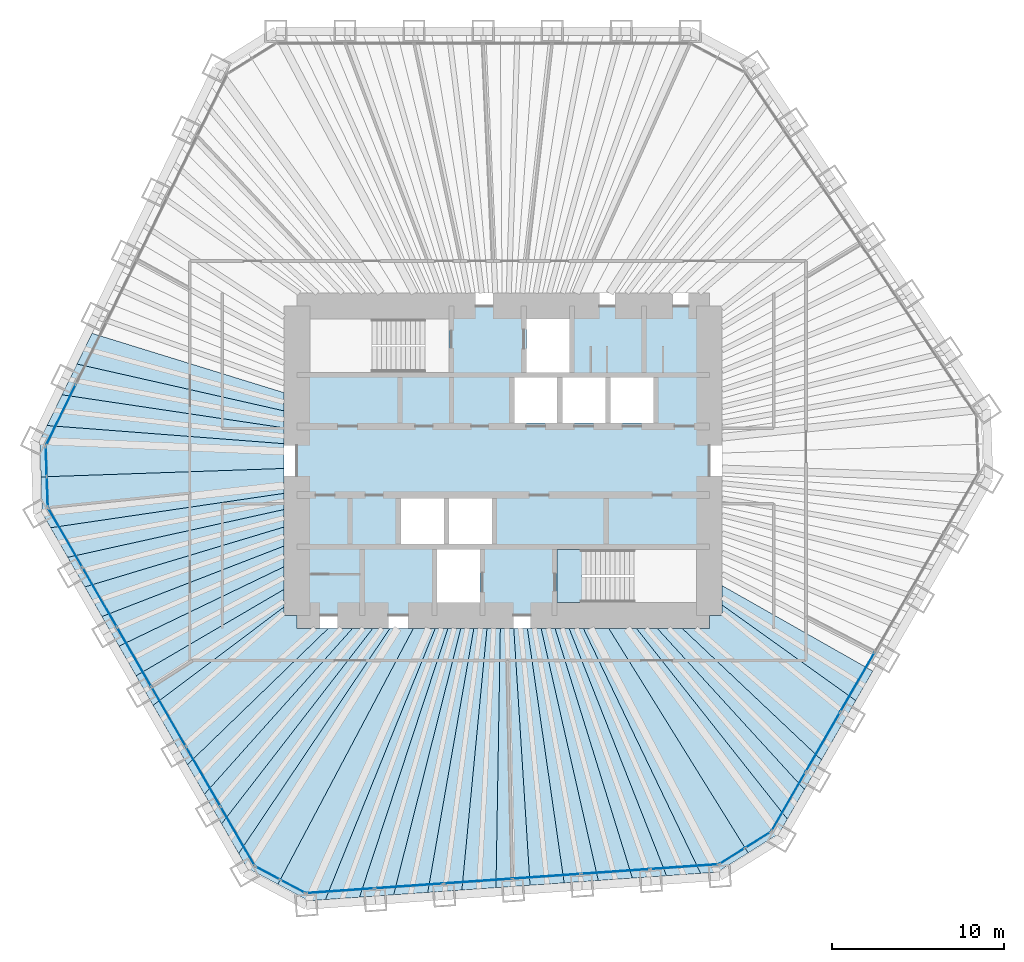
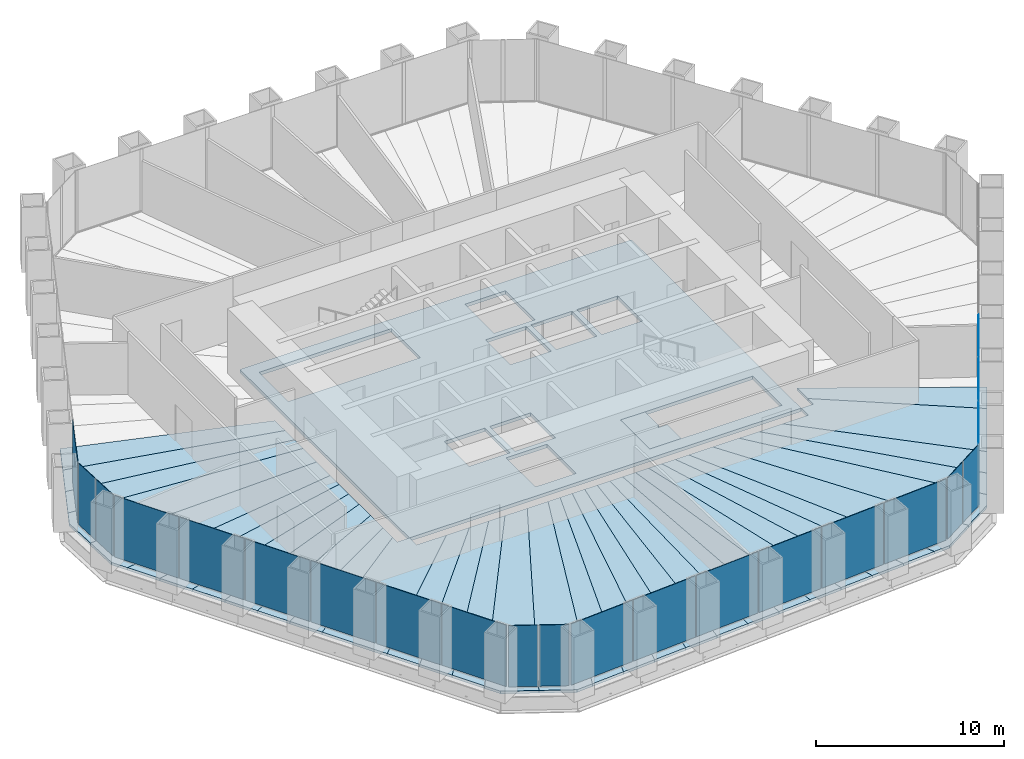
# One storey, part 8 of 13: 36 slabs, 22 plates, 8 elements without a shape of their own.
"""IFC4 building model written with IfcOpenShell, lengths in metres."""

from ifc_helpers import new_model, si_unit, direction, frame, origin, origin_2d, place, context, subcontext, project, spatial, polyline, rectangle, outline, extrude, material, layer, layer_set, type_object, element, aggregate, save


model = new_model("IFC4")

# Units and contexts
model_context = context("Model", 3, precision=1e-05, world=origin(), true_north=direction((0.0, 1.0)))
body_context = subcontext(model_context, "Body", "Model", "MODEL_VIEW")
ifc_project = project(units=[si_unit("LENGTHUNIT", "METRE"), si_unit("AREAUNIT", "SQUARE_METRE"), si_unit("VOLUMEUNIT", "CUBIC_METRE"), si_unit("PLANEANGLEUNIT", "RADIAN"), si_unit("MASSUNIT", "GRAM", prefix="KILO")], contexts=[model_context])

# Site, building, storey
site_placement = place(None, origin())
site = spatial("IfcSite", under=ifc_project, at=site_placement, CompositionType="ELEMENT")
building_placement = place(site_placement, origin())
building = spatial("IfcBuilding", under=site, at=building_placement, Name="Qingtian Harvest Tower", CompositionType="ELEMENT")
storey_placement = place(building_placement, frame((0.0, 0.0, 145.0)))
storey = spatial("IfcBuildingStorey", under=building, at=storey_placement, Name="L30", CompositionType="ELEMENT", Elevation=145.0)

# Slabs
ifc_material_1 = material(Name="Concrete fc' 35 MPa", Category="concrete")
ifc_layer_1 = layer(ifc_material_1, 0.169921875)
ifc_layer_set_1 = layer_set([ifc_layer_1], Name="Composite floor slab FS17 170")
slab_type_1 = type_object("IfcSlabType", Name="Composite floor slab FS17 170", PredefinedType="FLOOR", material=ifc_layer_set_1)
slab_1_placement = place(storey_placement, frame((0.0, 0.0, -0.169921875)))
element("IfcSlab", 1, at=slab_1_placement, inside=storey, type_object=slab_type_1, Name="Floor slab L30 panel D01", PredefinedType="FLOOR", context=body_context, shape_type="SweptSolid", body=[
    extrude(outline(polyline([(-26.8935546875, -0.939208984375), (-12.75, -0.447998046875), (-12.75, -1.89599609375), (-26.333984375, -3.8984375), (-26.819580078125, -3.056884765625), (-26.8935546875, -0.939208984375)])), origin(), (0.0, 0.0, 1.0), 0.169921875),
])
slab_2_placement = place(storey_placement, frame((0.0, 0.0, -0.169921875)))
element("IfcSlab", 2, at=slab_2_placement, inside=storey, type_object=slab_type_1, Name="Floor slab L30 panel D02", PredefinedType="FLOOR", context=body_context, shape_type="SweptSolid", body=[
    extrude(outline(polyline([(-12.75, -2.838134765625), (-25.3388671875, -5.62158203125), (-26.333984375, -3.8984375), (-12.75, -1.89599609375), (-12.75, -2.838134765625)])), origin(), (0.0, 0.0, 1.0), 0.169921875),
])
slab_3_placement = place(storey_placement, frame((0.0, 0.0, -0.169921875)))
element("IfcSlab", 3, at=slab_3_placement, inside=storey, type_object=slab_type_1, Name="Floor slab L30 panel D03", PredefinedType="FLOOR", context=body_context, shape_type="SweptSolid", body=[
    extrude(outline(polyline([(-12.75, -3.857666015625), (-24.343994140625, -7.344970703125), (-25.3388671875, -5.62158203125), (-12.75, -2.838134765625), (-12.75, -3.857666015625)])), origin(), (0.0, 0.0, 1.0), 0.169921875),
])
slab_4_placement = place(storey_placement, frame((0.0, 0.0, -0.169921875)))
element("IfcSlab", 4, at=slab_4_placement, inside=storey, type_object=slab_type_1, Name="Floor slab L30 panel D04", PredefinedType="FLOOR", context=body_context, shape_type="SweptSolid", body=[
    extrude(outline(polyline([(-12.75, -4.9638671875), (-23.34912109375, -9.068115234375), (-24.343994140625, -7.344970703125), (-12.75, -3.857666015625), (-12.75, -4.9638671875)])), origin(), (0.0, 0.0, 1.0), 0.169921875),
])
slab_5_placement = place(storey_placement, frame((0.0, 0.0, -0.169921875)))
element("IfcSlab", 5, at=slab_5_placement, inside=storey, type_object=slab_type_1, Name="Floor slab L30 panel D05", PredefinedType="FLOOR", context=body_context, shape_type="SweptSolid", body=[
    extrude(outline(polyline([(-12.75, -6.1689453125), (-22.354248046875, -10.79150390625), (-23.34912109375, -9.068115234375), (-12.75, -4.9638671875), (-12.75, -6.1689453125)])), origin(), (0.0, 0.0, 1.0), 0.169921875),
])
slab_6_placement = place(storey_placement, frame((0.0, 0.0, -0.169921875)))
element("IfcSlab", 6, at=slab_6_placement, inside=storey, type_object=slab_type_1, Name="Floor slab L30 panel D06", PredefinedType="FLOOR", context=body_context, shape_type="SweptSolid", body=[
    extrude(outline(polyline([(-12.75, -7.486328125), (-21.359130859375, -12.5146484375), (-22.354248046875, -10.79150390625), (-12.75, -6.1689453125), (-12.75, -7.486328125)])), origin(), (0.0, 0.0, 1.0), 0.169921875),
])
slab_7_placement = place(storey_placement, frame((0.0, 0.0, -0.169921875)))
element("IfcSlab", 7, at=slab_7_placement, inside=storey, type_object=slab_type_1, Name="Floor slab L30 panel D07", PredefinedType="FLOOR", context=body_context, shape_type="SweptSolid", body=[
    extrude(outline(polyline([(-12.75, -8.512451171875), (-20.36865234375, -14.23046875), (-21.359130859375, -12.5146484375), (-12.75, -7.486328125), (-12.75, -8.512451171875)])), origin(), (0.0, 0.0, 1.0), 0.169921875),
])
slab_8_placement = place(storey_placement, frame((0.0, 0.0, -0.169921875)))
element("IfcSlab", 8, at=slab_8_placement, inside=storey, type_object=slab_type_1, Name="Floor slab L30 panel D09", PredefinedType="FLOOR", context=body_context, shape_type="SweptSolid", body=[
    extrude(outline(polyline([(-18.375, -17.683837890625), (-20.36865234375, -14.23046875), (-12.75, -8.512451171875), (-12.75, -9.0), (-12.0, -9.0), (-12.0, -9.75), (-10.168212890625, -9.75), (-18.375, -17.683837890625)])), origin(), (0.0, 0.0, 1.0), 0.169921875),
])
slab_9_placement = place(storey_placement, frame((0.0, 0.0, -0.169921875)))
element("IfcSlab", 9, at=slab_9_placement, inside=storey, type_object=slab_type_1, Name="Floor slab L30 panel D10", PredefinedType="FLOOR", context=body_context, shape_type="SweptSolid", body=[
    extrude(outline(polyline([(-8.759521484375, -9.75), (-17.3798828125, -19.4072265625), (-18.375, -17.683837890625), (-10.168212890625, -9.75), (-8.759521484375, -9.75)])), origin(), (0.0, 0.0, 1.0), 0.169921875),
])
slab_10_placement = place(storey_placement, frame((0.0, 0.0, -0.169921875)))
element("IfcSlab", 10, at=slab_10_placement, inside=storey, type_object=slab_type_1, Name="Floor slab L30 panel D11", PredefinedType="FLOOR", context=body_context, shape_type="SweptSolid", body=[
    extrude(outline(polyline([(-7.58203125, -9.75), (-16.385009765625, -21.13037109375), (-17.3798828125, -19.4072265625), (-8.759521484375, -9.75), (-7.58203125, -9.75)])), origin(), (0.0, 0.0, 1.0), 0.169921875),
])
slab_11_placement = place(storey_placement, frame((0.0, 0.0, -0.169921875)))
element("IfcSlab", 11, at=slab_11_placement, inside=storey, type_object=slab_type_1, Name="Floor slab L30 panel D12", PredefinedType="FLOOR", context=body_context, shape_type="SweptSolid", body=[
    extrude(outline(polyline([(-6.5830078125, -9.75), (-15.389892578125, -22.853759765625), (-16.385009765625, -21.13037109375), (-7.58203125, -9.75), (-6.5830078125, -9.75)])), origin(), (0.0, 0.0, 1.0), 0.169921875),
])
slab_12_placement = place(storey_placement, frame((0.0, 0.0, -0.169921875)))
element("IfcSlab", 12, at=slab_12_placement, inside=storey, type_object=slab_type_1, Name="Floor slab L30 panel D13", PredefinedType="FLOOR", context=body_context, shape_type="SweptSolid", body=[
    extrude(outline(polyline([(-6.5830078125, -9.75), (-5.21875, -9.75), (-13.107421875, -24.650634765625), (-14.904052734375, -23.6953125), (-15.389892578125, -22.853759765625), (-6.5830078125, -9.75)])), origin(), (0.0, 0.0, 1.0), 0.169921875),
])
slab_13_placement = place(storey_placement, frame((0.0, 0.0, -0.169921875)))
element("IfcSlab", 13, at=slab_13_placement, inside=storey, type_object=slab_type_1, Name="Floor slab L30 panel D14", PredefinedType="FLOOR", context=body_context, shape_type="SweptSolid", body=[
    extrude(outline(polyline([(-5.21875, -9.75), (-3.947021484375, -9.75), (-10.3408203125, -25.53857421875), (-11.31005859375, -25.606201171875), (-13.107421875, -24.650634765625), (-5.21875, -9.75)])), origin(), (0.0, 0.0, 1.0), 0.169921875),
])
slab_14_placement = place(storey_placement, frame((0.0, 0.0, -0.169921875)))
element("IfcSlab", 14, at=slab_14_placement, inside=storey, type_object=slab_type_1, Name="Floor slab L30 panel D15", PredefinedType="FLOOR", context=body_context, shape_type="SweptSolid", body=[
    extrude(outline(polyline([(-3.20654296875, -9.75), (-8.35595703125, -25.399658203125), (-10.3408203125, -25.53857421875), (-3.947021484375, -9.75), (-3.20654296875, -9.75)])), origin(), (0.0, 0.0, 1.0), 0.169921875),
])
slab_15_placement = place(storey_placement, frame((0.0, 0.0, -0.169921875)))
element("IfcSlab", 15, at=slab_15_placement, inside=storey, type_object=slab_type_1, Name="Floor slab L30 panel D16", PredefinedType="FLOOR", context=body_context, shape_type="SweptSolid", body=[
    extrude(outline(polyline([(-2.4580078125, -9.75), (-6.370849609375, -25.260986328125), (-8.35595703125, -25.399658203125), (-3.20654296875, -9.75), (-2.4580078125, -9.75)])), origin(), (0.0, 0.0, 1.0), 0.169921875),
])
slab_16_placement = place(storey_placement, frame((0.0, 0.0, -0.169921875)))
element("IfcSlab", 16, at=slab_16_placement, inside=storey, type_object=slab_type_1, Name="Floor slab L30 panel D17", PredefinedType="FLOOR", context=body_context, shape_type="SweptSolid", body=[
    extrude(outline(polyline([(-1.701171875, -9.75), (-4.385986328125, -25.1220703125), (-6.370849609375, -25.260986328125), (-2.4580078125, -9.75), (-1.701171875, -9.75)])), origin(), (0.0, 0.0, 1.0), 0.169921875),
])
slab_17_placement = place(storey_placement, frame((0.0, 0.0, -0.169921875)))
element("IfcSlab", 17, at=slab_17_placement, inside=storey, type_object=slab_type_1, Name="Floor slab L30 panel D18", PredefinedType="FLOOR", context=body_context, shape_type="SweptSolid", body=[
    extrude(outline(polyline([(-0.93603515625, -9.75), (-2.40087890625, -24.9833984375), (-4.385986328125, -25.1220703125), (-1.701171875, -9.75), (-0.93603515625, -9.75)])), origin(), (0.0, 0.0, 1.0), 0.169921875),
])
slab_18_placement = place(storey_placement, frame((0.0, 0.0, -0.169921875)))
element("IfcSlab", 18, at=slab_18_placement, inside=storey, type_object=slab_type_1, Name="Floor slab L30 panel D19", PredefinedType="FLOOR", context=body_context, shape_type="SweptSolid", body=[
    extrude(outline(polyline([(-0.162109375, -9.75), (-0.416015625, -24.844482421875), (-2.40087890625, -24.9833984375), (-0.93603515625, -9.75), (-0.162109375, -9.75)])), origin(), (0.0, 0.0, 1.0), 0.169921875),
])
slab_19_placement = place(storey_placement, frame((0.0, 0.0, -0.169921875)))
element("IfcSlab", 19, at=slab_19_placement, inside=storey, type_object=slab_type_1, Name="Floor slab L30 panel D20", PredefinedType="FLOOR", context=body_context, shape_type="SweptSolid", body=[
    extrude(outline(polyline([(0.620361328125, -9.75), (1.569091796875, -24.705810546875), (-0.416015625, -24.844482421875), (-0.162109375, -9.75), (0.620361328125, -9.75)])), origin(), (0.0, 0.0, 1.0), 0.169921875),
])
slab_20_placement = place(storey_placement, frame((0.0, 0.0, -0.169921875)))
element("IfcSlab", 20, at=slab_20_placement, inside=storey, type_object=slab_type_1, Name="Floor slab L30 panel D21", PredefinedType="FLOOR", context=body_context, shape_type="SweptSolid", body=[
    extrude(outline(polyline([(1.41162109375, -9.75), (3.553955078125, -24.56689453125), (1.569091796875, -24.705810546875), (0.620361328125, -9.75), (1.41162109375, -9.75)])), origin(), (0.0, 0.0, 1.0), 0.169921875),
])
slab_21_placement = place(storey_placement, frame((0.0, 0.0, -0.169921875)))
element("IfcSlab", 21, at=slab_21_placement, inside=storey, type_object=slab_type_1, Name="Floor slab L30 panel D22", PredefinedType="FLOOR", context=body_context, shape_type="SweptSolid", body=[
    extrude(outline(polyline([(2.2119140625, -9.75), (5.5390625, -24.42822265625), (3.553955078125, -24.56689453125), (1.41162109375, -9.75), (2.2119140625, -9.75)])), origin(), (0.0, 0.0, 1.0), 0.169921875),
])
slab_22_placement = place(storey_placement, frame((0.0, 0.0, -0.169921875)))
element("IfcSlab", 22, at=slab_22_placement, inside=storey, type_object=slab_type_1, Name="Floor slab L30 panel D23", PredefinedType="FLOOR", context=body_context, shape_type="SweptSolid", body=[
    extrude(outline(polyline([(3.021484375, -9.75), (7.524169921875, -24.289306640625), (5.5390625, -24.42822265625), (2.2119140625, -9.75), (3.021484375, -9.75)])), origin(), (0.0, 0.0, 1.0), 0.169921875),
])
slab_23_placement = place(storey_placement, frame((0.0, 0.0, -0.169921875)))
element("IfcSlab", 23, at=slab_23_placement, inside=storey, type_object=slab_type_1, Name="Floor slab L30 panel D24", PredefinedType="FLOOR", context=body_context, shape_type="SweptSolid", body=[
    extrude(outline(polyline([(3.840087890625, -9.75), (9.509033203125, -24.150390625), (7.524169921875, -24.289306640625), (3.021484375, -9.75), (3.840087890625, -9.75)])), origin(), (0.0, 0.0, 1.0), 0.169921875),
])
slab_24_placement = place(storey_placement, frame((0.0, 0.0, -0.169921875)))
element("IfcSlab", 24, at=slab_24_placement, inside=storey, type_object=slab_type_1, Name="Floor slab L30 panel D25", PredefinedType="FLOOR", context=body_context, shape_type="SweptSolid", body=[
    extrude(outline(polyline([(4.66845703125, -9.75), (11.494140625, -24.01171875), (9.509033203125, -24.150390625), (3.840087890625, -9.75), (4.66845703125, -9.75)])), origin(), (0.0, 0.0, 1.0), 0.169921875),
])
slab_25_placement = place(storey_placement, frame((0.0, 0.0, -0.169921875)))
element("IfcSlab", 25, at=slab_25_placement, inside=storey, type_object=slab_type_1, Name="Floor slab L30 panel D26", PredefinedType="FLOOR", context=body_context, shape_type="SweptSolid", body=[
    extrude(outline(polyline([(4.66845703125, -9.75), (6.14404296875, -9.75), (14.2607421875, -22.820556640625), (12.463134765625, -23.94384765625), (11.494140625, -24.01171875), (4.66845703125, -9.75)])), origin(), (0.0, 0.0, 1.0), 0.169921875),
])
slab_26_placement = place(storey_placement, frame((0.0, 0.0, -0.169921875)))
element("IfcSlab", 26, at=slab_26_placement, inside=storey, type_object=slab_type_1, Name="Floor slab L30 panel D27", PredefinedType="FLOOR", context=body_context, shape_type="SweptSolid", body=[
    extrude(outline(polyline([(6.14404296875, -9.75), (7.756103515625, -9.75), (16.543212890625, -20.8564453125), (16.05712890625, -21.697998046875), (14.2607421875, -22.820556640625), (6.14404296875, -9.75)])), origin(), (0.0, 0.0, 1.0), 0.169921875),
])
slab_27_placement = place(storey_placement, frame((0.0, 0.0, -0.169921875)))
element("IfcSlab", 27, at=slab_27_placement, inside=storey, type_object=slab_type_1, Name="Floor slab L30 panel D28", PredefinedType="FLOOR", context=body_context, shape_type="SweptSolid", body=[
    extrude(outline(polyline([(8.966552734375, -9.75), (17.5380859375, -19.133056640625), (16.543212890625, -20.8564453125), (7.756103515625, -9.75), (8.966552734375, -9.75)])), origin(), (0.0, 0.0, 1.0), 0.169921875),
])
slab_28_placement = place(storey_placement, frame((0.0, 0.0, -0.169921875)))
element("IfcSlab", 28, at=slab_28_placement, inside=storey, type_object=slab_type_1, Name="Floor slab L30 panel D29", PredefinedType="FLOOR", context=body_context, shape_type="SweptSolid", body=[
    extrude(outline(polyline([(10.41796875, -9.75), (18.532958984375, -17.40966796875), (17.5380859375, -19.133056640625), (8.966552734375, -9.75), (10.41796875, -9.75)])), origin(), (0.0, 0.0, 1.0), 0.169921875),
])
slab_29_placement = place(storey_placement, frame((0.0, 0.0, -0.169921875)))
element("IfcSlab", 29, at=slab_29_placement, inside=storey, type_object=slab_type_1, Name="Floor slab L30 panel D31", PredefinedType="FLOOR", context=body_context, shape_type="SweptSolid", body=[
    extrude(outline(polyline([(12.75, -8.398681640625), (20.525390625, -13.958740234375), (18.532958984375, -17.40966796875), (10.41796875, -9.75), (12.0, -9.75), (12.0, -9.0), (12.75, -9.0), (12.75, -8.398681640625)])), origin(), (0.0, 0.0, 1.0), 0.169921875),
])
slab_30_placement = place(storey_placement, frame((0.0, 0.0, -0.169921875)))
element("IfcSlab", 30, at=slab_30_placement, inside=storey, type_object=slab_type_1, Name="Floor slab L30 panel D32", PredefinedType="FLOOR", context=body_context, shape_type="SweptSolid", body=[
    extrude(outline(polyline([(12.75, -7.268798828125), (21.517333984375, -12.24072265625), (20.525390625, -13.958740234375), (12.75, -8.398681640625), (12.75, -7.268798828125)])), origin(), (0.0, 0.0, 1.0), 0.169921875),
])
slab_31_placement = place(storey_placement, frame((0.0, 0.0, -0.169921875)))
element("IfcSlab", 31, at=slab_31_placement, inside=storey, type_object=slab_type_1, Name="Floor slab L30 panel D75", PredefinedType="FLOOR", context=body_context, shape_type="SweptSolid", body=[
    extrude(outline(polyline([(-12.75, 2.903076171875), (-24.797119140625, 5.62890625), (-23.9248046875, 7.417236328125), (-12.75, 3.962646484375), (-12.75, 2.903076171875)])), origin(), (0.0, 0.0, 1.0), 0.169921875),
])
slab_32_placement = place(storey_placement, frame((0.0, 0.0, -0.169921875)))
element("IfcSlab", 32, at=slab_32_placement, inside=storey, type_object=slab_type_1, Name="Floor slab L30 panel D76", PredefinedType="FLOOR", context=body_context, shape_type="SweptSolid", body=[
    extrude(outline(polyline([(-12.75, 1.91552734375), (-25.66943359375, 3.84033203125), (-24.797119140625, 5.62890625), (-12.75, 2.903076171875), (-12.75, 1.91552734375)])), origin(), (0.0, 0.0, 1.0), 0.169921875),
])
slab_33_placement = place(storey_placement, frame((0.0, 0.0, -0.169921875)))
element("IfcSlab", 33, at=slab_33_placement, inside=storey, type_object=slab_type_1, Name="Floor slab L30 panel D77", PredefinedType="FLOOR", context=body_context, shape_type="SweptSolid", body=[
    extrude(outline(polyline([(-12.75, 0.992919921875), (-26.541748046875, 2.0517578125), (-25.66943359375, 3.84033203125), (-12.75, 1.91552734375), (-12.75, 0.992919921875)])), origin(), (0.0, 0.0, 1.0), 0.169921875),
])
slab_34_placement = place(storey_placement, frame((0.0, 0.0, -0.169921875)))
element("IfcSlab", 34, at=slab_34_placement, inside=storey, type_object=slab_type_1, Name="Floor slab L30 panel D78", PredefinedType="FLOOR", context=body_context, shape_type="SweptSolid", body=[
    extrude(outline(polyline([(-12.75, 0.992919921875), (-12.75, -0.447998046875), (-26.8935546875, -0.939208984375), (-26.967529296875, 1.1787109375), (-26.541748046875, 2.0517578125), (-12.75, 0.992919921875)])), origin(), (0.0, 0.0, 1.0), 0.169921875),
])
ifc_material_2 = material(Name="Concrete fc' 35 MPa", Category="concrete")
ifc_layer_2 = layer(ifc_material_2, 0.219970703125)
ifc_layer_set_2 = layer_set([ifc_layer_2], Name="Core floor slab CS22 220")
slab_type_2 = type_object("IfcSlabType", Name="Core floor slab CS22 220", PredefinedType="FLOOR", material=ifc_layer_set_2)
slab_35_placement = place(storey_placement, frame((0.0, 0.0, -0.219970703125)))
element("IfcSlab", 35, at=slab_35_placement, inside=storey, type_object=slab_type_2, Name="Core floor slab L30", PredefinedType="FLOOR", context=body_context, shape_type="SweptSolid", body=[
    extrude(outline(polyline([(-12.0, -9.0), (12.0, -9.0), (12.0, 9.0), (-12.0, 9.0), (-12.0, -9.0)]), holes=[polyline([(-11.25, 5.14990234375), (-3.14990234375, 5.14990234375), (-3.14990234375, 8.25), (-11.25, 8.25), (-11.25, 5.14990234375)]), polyline([(3.14990234375, -8.25), (11.25, -8.25), (11.25, -5.14990234375), (3.14990234375, -5.14990234375), (3.14990234375, -8.25)]), polyline([(1.35009765625, 5.14990234375), (3.85009765625, 5.14990234375), (3.85009765625, 8.25), (1.35009765625, 8.25), (1.35009765625, 5.14990234375)]), polyline([(-3.85009765625, -8.25), (-1.35009765625, -8.25), (-1.35009765625, -5.14990234375), (-3.85009765625, -5.14990234375), (-3.85009765625, -8.25)]), polyline([(0.64990234375, 2.199951171875), (3.14990234375, 2.199951171875), (3.14990234375, 4.85009765625), (0.64990234375, 4.85009765625), (0.64990234375, 2.199951171875)]), polyline([(3.449951171875, 2.199951171875), (5.949951171875, 2.199951171875), (5.949951171875, 4.85009765625), (3.449951171875, 4.85009765625), (3.449951171875, 2.199951171875)]), polyline([(6.25, 2.199951171875), (8.75, 2.199951171875), (8.75, 4.85009765625), (6.25, 4.85009765625), (6.25, 2.199951171875)]), polyline([(-5.949951171875, -4.85009765625), (-3.449951171875, -4.85009765625), (-3.449951171875, -2.199951171875), (-5.949951171875, -2.199951171875), (-5.949951171875, -4.85009765625)]), polyline([(-3.14990234375, -4.85009765625), (-0.64990234375, -4.85009765625), (-0.64990234375, -2.199951171875), (-3.14990234375, -2.199951171875), (-3.14990234375, -4.85009765625)])]), origin(), (0.0, 0.0, 1.0), 0.219970703125),
])

# Curtain wall, plates
ifc_material_3 = material(Name="Bronze-anodised aluminium curtain wall", Category="aluminium")
curtain_wall_type = type_object("IfcCurtainWallType", Name="Curtain wall CW4 office", PredefinedType="USERDEFINED", material=ifc_material_3)
curtain_wall_1_placement = place(storey_placement, origin())
curtain_wall_1 = element("IfcCurtainWall", 36, at=curtain_wall_1_placement, inside=storey, type_object=curtain_wall_type, Name="Curtain wall CW4 L30 SE0-5", ObjectType="RECESSED CURTAIN WALL", PredefinedType="USERDEFINED")
ifc_material_4 = material(Name="Bronze-tinted laminated insulating glass", Category="glass")
ifc_layer_3 = layer(ifc_material_4, 0.030029296875)
ifc_layer_set_3 = layer_set([ifc_layer_3], Name="Glazed panel CWP tinted IGU")
plate_type = type_object("IfcPlateType", Name="Glazed panel CWP tinted IGU", PredefinedType="CURTAIN_PANEL", material=ifc_layer_set_3)
plate_1_placement = place(storey_placement, frame((20.621826171875, -12.8818359375, 0.06494140625), z_axis=(0.0, 0.0, 1.0), x_axis=(-0.5, -0.866025403784, 0.0)))
plate_1 = element("IfcPlate", 37, at=plate_1_placement, type_object=plate_type, Name="CW4 panel 4.1", PredefinedType="CURTAIN_PANEL", context=body_context, shape_type="SweptSolid", body=[
    extrude(rectangle(XDim=3.9541015625, YDim=0.030029296875, at=origin_2d()), origin(), (0.0, 0.0, 1.0), 3.965087890625),
])
plate_2_placement = place(storey_placement, frame((18.6123046875, -16.362548828125, 0.06494140625), z_axis=(0.0, 0.0, 1.0), x_axis=(-0.5, -0.866025403784, 0.0)))
plate_2 = element("IfcPlate", 38, at=plate_2_placement, type_object=plate_type, Name="CW4 panel 5.1", PredefinedType="CURTAIN_PANEL", context=body_context, shape_type="SweptSolid", body=[
    extrude(rectangle(XDim=3.9541015625, YDim=0.030029296875, at=origin_2d()), origin(), (0.0, 0.0, 1.0), 3.965087890625),
])
plate_3_placement = place(storey_placement, frame((16.61083984375, -19.8291015625, 0.06494140625), z_axis=(0.0, 0.0, 1.0), x_axis=(-0.5, -0.866025403784, 0.0)))
plate_3 = element("IfcPlate", 39, at=plate_3_placement, type_object=plate_type, Name="CW4 panel 6.1", PredefinedType="CURTAIN_PANEL", context=body_context, shape_type="SweptSolid", body=[
    extrude(rectangle(XDim=3.921630859375, YDim=0.030029296875, at=origin_2d()), origin(), (0.0, 0.0, 1.0), 3.965087890625),
])
aggregate(curtain_wall_1, [plate_1, plate_2, plate_3])

curtain_wall_2_placement = place(storey_placement, origin())
curtain_wall_2 = element("IfcCurtainWall", 40, at=curtain_wall_2_placement, inside=storey, type_object=curtain_wall_type, Name="Curtain wall CW4 L30 SEC", ObjectType="RECESSED CURTAIN WALL", PredefinedType="USERDEFINED")
plate_4_placement = place(storey_placement, frame((14.8251953125, -22.06640625, 0.06494140625), z_axis=(0.0, 0.0, 1.0), x_axis=(-0.848048096156, -0.529919264233, 0.0)))
plate_4 = element("IfcPlate", 41, at=plate_4_placement, type_object=plate_type, Name="CW4 panel 1.1", PredefinedType="CURTAIN_PANEL", context=body_context, shape_type="SweptSolid", body=[
    extrude(rectangle(XDim=1.69287109375, YDim=0.030029296875, at=origin_2d()), origin(), (0.0, 0.0, 1.0), 3.965087890625),
])
plate_5_placement = place(storey_placement, frame((13.334228515625, -22.998046875, 0.06494140625), z_axis=(0.0, 0.0, 1.0), x_axis=(-0.848048096156, -0.529919264233, 0.0)))
plate_5 = element("IfcPlate", 42, at=plate_5_placement, type_object=plate_type, Name="CW4 panel 2.1", PredefinedType="CURTAIN_PANEL", context=body_context, shape_type="SweptSolid", body=[
    extrude(rectangle(XDim=1.69287109375, YDim=0.030029296875, at=origin_2d()), origin(), (0.0, 0.0, 1.0), 3.965087890625),
])
aggregate(curtain_wall_2, [plate_4, plate_5])

curtain_wall_3_placement = place(storey_placement, origin())
curtain_wall_3 = element("IfcCurtainWall", 43, at=curtain_wall_3_placement, inside=storey, type_object=curtain_wall_type, Name="Curtain wall CW4 L30 S0-5", ObjectType="RECESSED CURTAIN WALL", PredefinedType="USERDEFINED")
plate_6_placement = place(storey_placement, frame((10.54052734375, -23.622314453125, 0.06494140625), z_axis=(0.0, 0.0, 1.0), x_axis=(-0.99756405026, -0.069756473744, 0.0)))
plate_6 = element("IfcPlate", 44, at=plate_6_placement, type_object=plate_type, Name="CW4 panel 1.1", PredefinedType="CURTAIN_PANEL", context=body_context, shape_type="SweptSolid", body=[
    extrude(rectangle(XDim=3.921630859375, YDim=0.030029296875, at=origin_2d()), origin(), (0.0, 0.0, 1.0), 3.965087890625),
])
plate_7_placement = place(storey_placement, frame((6.54736328125, -23.901611328125, 0.06494140625), z_axis=(0.0, 0.0, 1.0), x_axis=(-0.99756405026, -0.069756473744, 0.0)))
plate_7 = element("IfcPlate", 45, at=plate_7_placement, type_object=plate_type, Name="CW4 panel 2.1", PredefinedType="CURTAIN_PANEL", context=body_context, shape_type="SweptSolid", body=[
    extrude(rectangle(XDim=3.9541015625, YDim=0.030029296875, at=origin_2d()), origin(), (0.0, 0.0, 1.0), 3.965087890625),
])
plate_8_placement = place(storey_placement, frame((2.5380859375, -24.181884765625, 0.06494140625), z_axis=(0.0, 0.0, 1.0), x_axis=(-0.99756405026, -0.069756473744, 0.0)))
plate_8 = element("IfcPlate", 46, at=plate_8_placement, type_object=plate_type, Name="CW4 panel 3.1", PredefinedType="CURTAIN_PANEL", context=body_context, shape_type="SweptSolid", body=[
    extrude(rectangle(XDim=3.9541015625, YDim=0.030029296875, at=origin_2d()), origin(), (0.0, 0.0, 1.0), 3.965087890625),
])
plate_9_placement = place(storey_placement, frame((-1.47119140625, -24.462158203125, 0.06494140625), z_axis=(0.0, 0.0, 1.0), x_axis=(-0.99756405026, -0.069756473744, 0.0)))
plate_9 = element("IfcPlate", 47, at=plate_9_placement, type_object=plate_type, Name="CW4 panel 4.1", PredefinedType="CURTAIN_PANEL", context=body_context, shape_type="SweptSolid", body=[
    extrude(rectangle(XDim=3.9541015625, YDim=0.030029296875, at=origin_2d()), origin(), (0.0, 0.0, 1.0), 3.965087890625),
])
plate_10_placement = place(storey_placement, frame((-5.48046875, -24.74267578125, 0.06494140625), z_axis=(0.0, 0.0, 1.0), x_axis=(-0.99756405026, -0.069756473744, 0.0)))
plate_10 = element("IfcPlate", 48, at=plate_10_placement, type_object=plate_type, Name="CW4 panel 5.1", PredefinedType="CURTAIN_PANEL", context=body_context, shape_type="SweptSolid", body=[
    extrude(rectangle(XDim=3.9541015625, YDim=0.030029296875, at=origin_2d()), origin(), (0.0, 0.0, 1.0), 3.965087890625),
])
plate_11_placement = place(storey_placement, frame((-9.4736328125, -25.021728515625, 0.06494140625), z_axis=(0.0, 0.0, 1.0), x_axis=(-0.99756405026, -0.069756473744, 0.0)))
plate_11 = element("IfcPlate", 49, at=plate_11_placement, type_object=plate_type, Name="CW4 panel 6.1", PredefinedType="CURTAIN_PANEL", context=body_context, shape_type="SweptSolid", body=[
    extrude(rectangle(XDim=3.921630859375, YDim=0.030029296875, at=origin_2d()), origin(), (0.0, 0.0, 1.0), 3.965087890625),
])
aggregate(curtain_wall_3, [plate_6, plate_7, plate_8, plate_9, plate_10, plate_11])

curtain_wall_4_placement = place(storey_placement, origin())
curtain_wall_4 = element("IfcCurtainWall", 50, at=curtain_wall_4_placement, inside=storey, type_object=curtain_wall_type, Name="Curtain wall CW4 L30 SC", ObjectType="RECESSED CURTAIN WALL", PredefinedType="USERDEFINED")
plate_12_placement = place(storey_placement, frame((-12.24365234375, -24.764892578125, 0.06494140625), z_axis=(0.0, 0.0, 1.0), x_axis=(-0.882947592859, 0.469471562786, 0.0)))
plate_12 = element("IfcPlate", 51, at=plate_12_placement, type_object=plate_type, Name="CW4 panel 1.1", PredefinedType="CURTAIN_PANEL", context=body_context, shape_type="SweptSolid", body=[
    extrude(rectangle(XDim=1.56689453125, YDim=0.030029296875, at=origin_2d()), origin(), (0.0, 0.0, 1.0), 3.965087890625),
])
plate_13_placement = place(storey_placement, frame((-13.684326171875, -23.998779296875, 0.06494140625), z_axis=(0.0, 0.0, 1.0), x_axis=(-0.882947592859, 0.469471562786, 0.0)))
plate_13 = element("IfcPlate", 52, at=plate_13_placement, type_object=plate_type, Name="CW4 panel 2.1", PredefinedType="CURTAIN_PANEL", context=body_context, shape_type="SweptSolid", body=[
    extrude(rectangle(XDim=1.56689453125, YDim=0.030029296875, at=origin_2d()), origin(), (0.0, 0.0, 1.0), 3.965087890625),
])
aggregate(curtain_wall_4, [plate_12, plate_13])

curtain_wall_5_placement = place(storey_placement, origin())
curtain_wall_5 = element("IfcCurtainWall", 53, at=curtain_wall_5_placement, inside=storey, type_object=curtain_wall_type, Name="Curtain wall CW4 L30 SW0-5", ObjectType="RECESSED CURTAIN WALL", PredefinedType="USERDEFINED")
plate_14_placement = place(storey_placement, frame((-15.446533203125, -21.845947265625, 0.06494140625), z_axis=(0.0, 0.0, 1.0), x_axis=(-0.5, 0.866025403784, 0.0)))
plate_14 = element("IfcPlate", 54, at=plate_14_placement, type_object=plate_type, Name="CW4 panel 1.1", PredefinedType="CURTAIN_PANEL", context=body_context, shape_type="SweptSolid", body=[
    extrude(rectangle(XDim=3.921630859375, YDim=0.030029296875, at=origin_2d()), origin(), (0.0, 0.0, 1.0), 3.965087890625),
])
plate_15_placement = place(storey_placement, frame((-17.44775390625, -18.37939453125, 0.06494140625), z_axis=(0.0, 0.0, 1.0), x_axis=(-0.5, 0.866025403784, 0.0)))
plate_15 = element("IfcPlate", 55, at=plate_15_placement, type_object=plate_type, Name="CW4 panel 2.1", PredefinedType="CURTAIN_PANEL", context=body_context, shape_type="SweptSolid", body=[
    extrude(rectangle(XDim=3.9541015625, YDim=0.030029296875, at=origin_2d()), origin(), (0.0, 0.0, 1.0), 3.965087890625),
])
plate_16_placement = place(storey_placement, frame((-19.45751953125, -14.898681640625, 0.06494140625), z_axis=(0.0, 0.0, 1.0), x_axis=(-0.5, 0.866025403784, 0.0)))
plate_16 = element("IfcPlate", 56, at=plate_16_placement, type_object=plate_type, Name="CW4 panel 3.1", PredefinedType="CURTAIN_PANEL", context=body_context, shape_type="SweptSolid", body=[
    extrude(rectangle(XDim=3.9541015625, YDim=0.030029296875, at=origin_2d()), origin(), (0.0, 0.0, 1.0), 3.965087890625),
])
plate_17_placement = place(storey_placement, frame((-21.467041015625, -11.418212890625, 0.06494140625), z_axis=(0.0, 0.0, 1.0), x_axis=(-0.5, 0.866025403784, 0.0)))
plate_17 = element("IfcPlate", 57, at=plate_17_placement, type_object=plate_type, Name="CW4 panel 4.1", PredefinedType="CURTAIN_PANEL", context=body_context, shape_type="SweptSolid", body=[
    extrude(rectangle(XDim=3.9541015625, YDim=0.030029296875, at=origin_2d()), origin(), (0.0, 0.0, 1.0), 3.965087890625),
])
plate_18_placement = place(storey_placement, frame((-23.4765625, -7.9375, 0.06494140625), z_axis=(0.0, 0.0, 1.0), x_axis=(-0.5, 0.866025403784, 0.0)))
plate_18 = element("IfcPlate", 58, at=plate_18_placement, type_object=plate_type, Name="CW4 panel 5.1", PredefinedType="CURTAIN_PANEL", context=body_context, shape_type="SweptSolid", body=[
    extrude(rectangle(XDim=3.9541015625, YDim=0.030029296875, at=origin_2d()), origin(), (0.0, 0.0, 1.0), 3.965087890625),
])
plate_19_placement = place(storey_placement, frame((-25.477783203125, -4.470947265625, 0.06494140625), z_axis=(0.0, 0.0, 1.0), x_axis=(-0.5, 0.866025403784, 0.0)))
plate_19 = element("IfcPlate", 59, at=plate_19_placement, type_object=plate_type, Name="CW4 panel 6.1", PredefinedType="CURTAIN_PANEL", context=body_context, shape_type="SweptSolid", body=[
    extrude(rectangle(XDim=3.921630859375, YDim=0.030029296875, at=origin_2d()), origin(), (0.0, 0.0, 1.0), 3.965087890625),
])
aggregate(curtain_wall_5, [plate_14, plate_15, plate_16, plate_17, plate_18, plate_19])

curtain_wall_6_placement = place(storey_placement, origin())
curtain_wall_6 = element("IfcCurtainWall", 60, at=curtain_wall_6_placement, inside=storey, type_object=curtain_wall_type, Name="Curtain wall CW4 L30 SWC", ObjectType="RECESSED CURTAIN WALL", PredefinedType="USERDEFINED")
plate_20_placement = place(storey_placement, frame((-26.522705078125, -1.8056640625, 0.06494140625), z_axis=(0.0, 0.0, 1.0), x_axis=(-0.034899496703, 0.999390827019, 0.0)))
plate_20 = element("IfcPlate", 61, at=plate_20_placement, type_object=plate_type, Name="CW4 panel 1.1", PredefinedType="CURTAIN_PANEL", context=body_context, shape_type="SweptSolid", body=[
    extrude(rectangle(XDim=1.69287109375, YDim=0.030029296875, at=origin_2d()), origin(), (0.0, 0.0, 1.0), 3.965087890625),
])
plate_21_placement = place(storey_placement, frame((-26.583984375, -0.048828125, 0.06494140625), z_axis=(0.0, 0.0, 1.0), x_axis=(-0.034899496703, 0.999390827019, 0.0)))
plate_21 = element("IfcPlate", 62, at=plate_21_placement, type_object=plate_type, Name="CW4 panel 2.1", PredefinedType="CURTAIN_PANEL", context=body_context, shape_type="SweptSolid", body=[
    extrude(rectangle(XDim=1.69287109375, YDim=0.030029296875, at=origin_2d()), origin(), (0.0, 0.0, 1.0), 3.965087890625),
])
aggregate(curtain_wall_6, [plate_20, plate_21])

# Curtain wall, plate
curtain_wall_7_placement = place(storey_placement, origin())
curtain_wall_7 = element("IfcCurtainWall", 63, at=curtain_wall_7_placement, inside=storey, type_object=curtain_wall_type, Name="Curtain wall CW4 L30 NW0-5", ObjectType="RECESSED CURTAIN WALL", PredefinedType="USERDEFINED")
plate_22_placement = place(storey_placement, frame((-25.727783203125, 2.682861328125, 0.06494140625), z_axis=(0.0, 0.0, 1.0), x_axis=(0.438371146789, 0.898794046299, 0.0)))
plate_22 = element("IfcPlate", 64, at=plate_22_placement, type_object=plate_type, Name="CW4 panel 1.1", PredefinedType="CURTAIN_PANEL", context=body_context, shape_type="SweptSolid", body=[
    extrude(rectangle(XDim=3.921630859375, YDim=0.030029296875, at=origin_2d()), origin(), (0.0, 0.0, 1.0), 3.965087890625),
])
aggregate(curtain_wall_7, [plate_22])

# Stair, slab
ifc_material_5 = material(Name="Concrete fc' 35 MPa", Category="concrete")
stair_type = type_object("IfcStairType", Name="Special stair ST3 4200", PredefinedType="HALF_TURN_STAIR", material=ifc_material_5)
stair_placement = place(storey_placement, origin())
stair = element("IfcStair", 65, at=stair_placement, inside=storey, type_object=stair_type, Name="Special stair S2 L30", PredefinedType="HALF_TURN_STAIR")
ifc_material_6 = material(Name="Concrete fc' 35 MPa", Category="concrete")
ifc_layer_4 = layer(ifc_material_6, 0.199951171875)
ifc_layer_set_4 = layer_set([ifc_layer_4], Name="Stair landing SL2 200")
slab_type_3 = type_object("IfcSlabType", Name="Stair landing SL2 200", PredefinedType="LANDING", material=ifc_layer_set_4)
slab_36_placement = place(storey_placement, frame((0.0, 0.0, -0.199951171875)))
slab_36 = element("IfcSlab", 66, at=slab_36_placement, type_object=slab_type_3, Name="S2 landing 1", PredefinedType="LANDING", context=body_context, shape_type="SweptSolid", body=[
    extrude(outline(polyline([(5.0849609375, -8.25), (3.14990234375, -8.25), (3.14990234375, -5.14990234375), (4.64990234375, -5.14990234375), (4.64990234375, -6.64990234375), (4.550048828125, -6.64990234375), (4.550048828125, -6.75), (5.0849609375, -6.75), (5.0849609375, -8.25)])), origin(), (0.0, 0.0, 1.0), 0.199951171875),
])
aggregate(stair, [slab_36])

save(model, "model.ifc")
